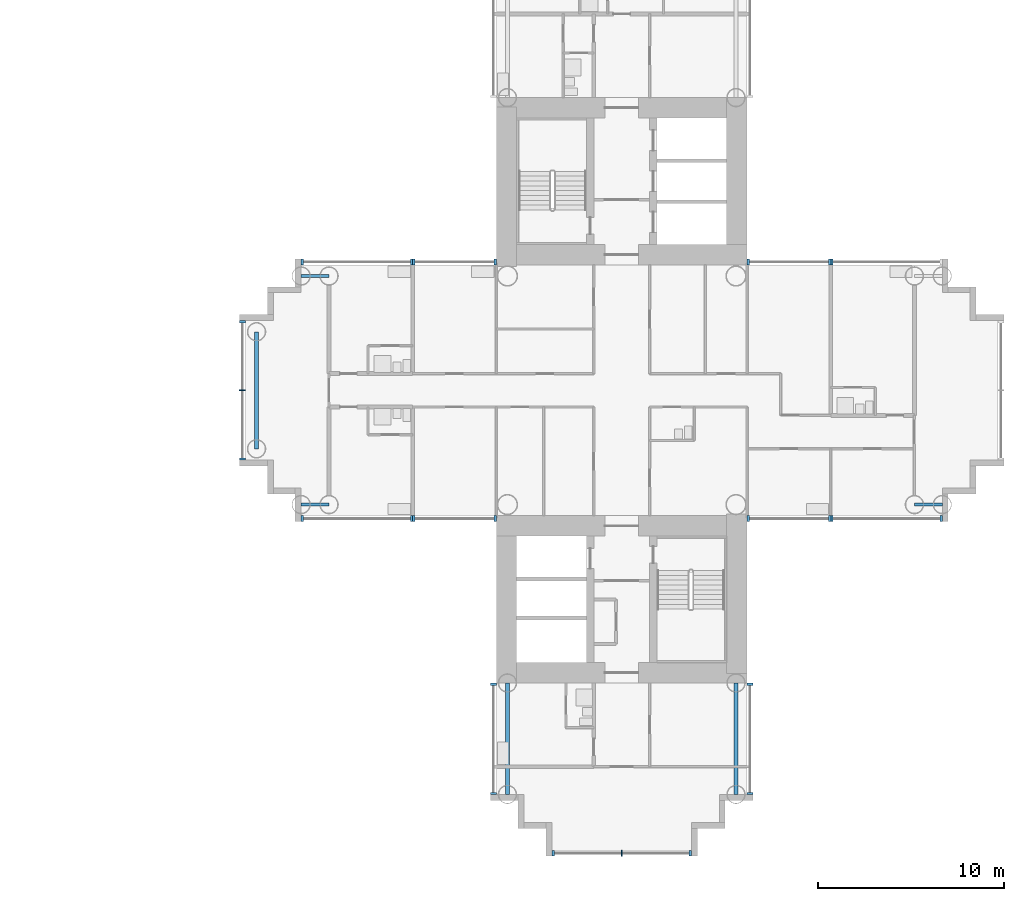
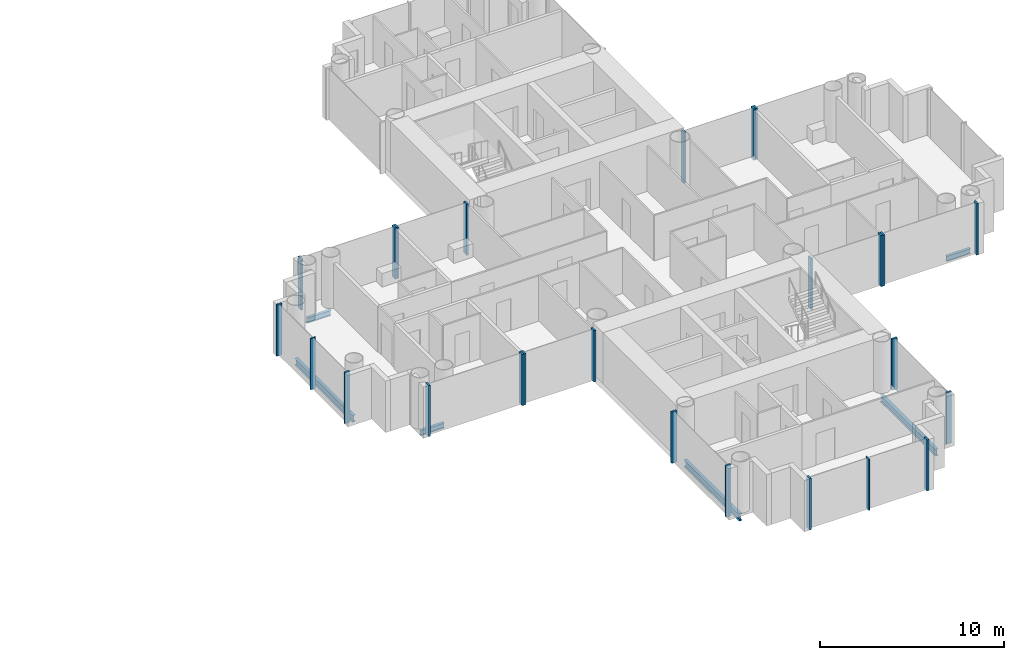
# One storey, part 5 of 21: 25 members, 6 beams, 12 elements without a shape of their own.
"""IFC4 building model written with IfcOpenShell, lengths in metres."""

from ifc_helpers import new_model, si_unit, direction, frame, origin, origin_2d, place, context, subcontext, project, spatial, rectangle, i_section, extrude, material, layer, layer_set, material_profile, profile_set, type_object, element, aggregate, save


model = new_model("IFC4")

# Units and contexts
model_context = context("Model", 3, precision=1e-05, world=origin(), true_north=direction((0.0, 1.0)))
body_context = subcontext(model_context, "Body", "Model", "MODEL_VIEW")
ifc_project = project(units=[si_unit("LENGTHUNIT", "METRE"), si_unit("AREAUNIT", "SQUARE_METRE"), si_unit("VOLUMEUNIT", "CUBIC_METRE"), si_unit("PLANEANGLEUNIT", "RADIAN"), si_unit("MASSUNIT", "GRAM", prefix="KILO")], contexts=[model_context])

# Site, building, storey
site_placement = place(None, origin())
site = spatial("IfcSite", under=ifc_project, at=site_placement, CompositionType="ELEMENT")
building_placement = place(site_placement, origin())
building = spatial("IfcBuilding", under=site, at=building_placement, Name="Ipe Terrace Towers", CompositionType="ELEMENT")
storey_placement = place(building_placement, frame((0.0, 0.0, 41.5)))
storey = spatial("IfcBuildingStorey", under=building, at=storey_placement, Name="L10", CompositionType="ELEMENT", Elevation=41.5)

# Beams
ifc_material_1 = material(Name="Steel S355", Category="steel")
ifc_material_profile_1 = material_profile(ifc_material_1, i_section(OverallWidth=0.175048828125, OverallDepth=0.35009765625, WebThickness=0.007080078125, FlangeThickness=0.010986328125, at=origin_2d()), Name="H-350x175x7x11")
ifc_profile_set_1 = profile_set([ifc_material_profile_1], Name="Steel S355")
beam_type_1 = type_object("IfcBeamType", Name="H04 EDGE BEAM H-350x175x7x11", PredefinedType="BEAM", material=ifc_profile_set_1)
for number, where, z_axis, x_axis, name in (
    (1, (20.25, 6.14990234375, -0.574951171875), (-1.0, 0.0, 0.0), (0.0, -1.0, 0.0), "Edge beam T2-EB-B03-B05"),
    (2, (20.25, -6.14990234375, -0.574951171875), (-1.0, 0.0, 0.0), (0.0, -1.0, 0.0), "Edge beam T2-EB-B04-B06"),
    (3, (51.75, -6.14990234375, -0.574951171875), (1.0, 0.0, 0.0), (0.0, 1.0, 0.0), "Edge beam T2-EB-D03-D05"),
):
    element("IfcBeam", number, at=place(storey_placement, frame(where, z_axis=z_axis, x_axis=x_axis)), inside=storey, type_object=beam_type_1, Name=name, PredefinedType="BEAM", context=body_context, shape_type="SweptSolid", body=[
        extrude(i_section(OverallWidth=0.175048828125, OverallDepth=0.35009765625, WebThickness=0.007080078125, FlangeThickness=0.010986328125, at=origin_2d()), origin(), (0.0, 0.0, 1.0), 1.5),
    ])
ifc_material_2 = material(Name="Steel S355", Category="steel")
ifc_material_profile_2 = material_profile(ifc_material_2, i_section(OverallWidth=0.199951171875, OverallDepth=0.449951171875, WebThickness=0.009033203125, FlangeThickness=0.013916015625, at=origin_2d()), Name="H-450x200x9x14")
ifc_profile_set_2 = profile_set([ifc_material_profile_2], Name="Steel S355")
beam_type_2 = type_object("IfcBeamType", Name="H08 EDGE BEAM H-450x200x9x14", PredefinedType="BEAM", material=ifc_profile_set_2)
beam_placement = place(storey_placement, frame((16.35009765625, 3.14990234375, -0.625), z_axis=(0.0, -1.0, 0.0), x_axis=(1.0, 0.0, 0.0)))
element("IfcBeam", 4, at=beam_placement, inside=storey, type_object=beam_type_2, Name="Edge beam T2-EB-B07-B08", PredefinedType="BEAM", context=body_context, shape_type="SweptSolid", body=[
    extrude(i_section(OverallWidth=0.199951171875, OverallDepth=0.449951171875, WebThickness=0.009033203125, FlangeThickness=0.013916015625, at=origin_2d()), origin(), (0.0, 0.0, 1.0), 6.2998046875),
])
for number, where, z_axis, x_axis, name in (
    (5, (42.14990234375, -15.75, -0.625), (0.0, -1.0, 0.0), (1.0, 0.0, 0.0), "Edge beam T2-EB-C01-C03"),
    (6, (29.85009765625, -15.75, -0.625), (0.0, -1.0, 0.0), (1.0, 0.0, 0.0), "Edge beam T2-EB-C02-C04"),
):
    element("IfcBeam", number, at=place(storey_placement, frame(where, z_axis=z_axis, x_axis=x_axis)), inside=storey, type_object=beam_type_2, Name=name, PredefinedType="BEAM", context=body_context, shape_type="SweptSolid", body=[
        extrude(i_section(OverallWidth=0.199951171875, OverallDepth=0.449951171875, WebThickness=0.009033203125, FlangeThickness=0.013916015625, at=origin_2d()), origin(), (0.0, 0.0, 1.0), 6.0),
    ])

# Curtain wall, members
ifc_material_3 = material(Name="Aluminium alloy 6063-T6", Category="aluminium")
ifc_layer = layer(ifc_material_3, 0.320068359375)
ifc_layer_set = layer_set([ifc_layer], Name="TOWER UNITISED CURTAIN WALL")
curtain_wall_type = type_object("IfcCurtainWallType", Name="TOWER UNITISED CURTAIN WALL", PredefinedType="NOTDEFINED", material=ifc_layer_set)
curtain_wall_1_placement = place(storey_placement, origin())
curtain_wall_1 = element("IfcCurtainWall", 7, at=curtain_wall_1_placement, inside=storey, type_object=curtain_wall_type, Name="T2-CW-L10-04a curtain wall", PredefinedType="NOTDEFINED")
ifc_material_4 = material(Name="Aluminium alloy 6063-T6", Category="aluminium")
ifc_material_profile_3 = material_profile(ifc_material_4, rectangle(XDim=0.320068359375, YDim=0.1201171875, at=origin_2d()), Name="TOWER UNITISED CORNER MULLION 320 x 120")
ifc_profile_set_3 = profile_set([ifc_material_profile_3], Name="Aluminium alloy 6063-T6")
member_type_1 = type_object("IfcMemberType", Name="TOWER UNITISED CORNER MULLION 320 x 120", PredefinedType="MULLION", material=ifc_profile_set_3)
member_1_placement = place(storey_placement, frame((42.909912109375, -21.68994140625, -0.300048828125), z_axis=(0.0, 0.0, 1.0), x_axis=(1.0, 0.0, 0.0)))
member_1 = element("IfcMember", 8, at=member_1_placement, type_object=member_type_1, Name="T2-CW-L10-04a mullion 1", PredefinedType="MULLION", context=body_context, shape_type="SweptSolid", body=[
    extrude(rectangle(XDim=0.320068359375, YDim=0.1201171875, at=origin_2d()), origin(), (0.0, 0.0, 1.0), 3.400146484375),
])
member_2_placement = place(storey_placement, frame((42.909912109375, -15.81103515625, -0.300048828125), z_axis=(0.0, 0.0, 1.0), x_axis=(1.0, 0.0, 0.0)))
member_2 = element("IfcMember", 9, at=member_2_placement, type_object=member_type_1, Name="T2-CW-L10-04a mullion 2", PredefinedType="MULLION", context=body_context, shape_type="SweptSolid", body=[
    extrude(rectangle(XDim=0.320068359375, YDim=0.1201171875, at=origin_2d()), origin(), (0.0, 0.0, 1.0), 3.400146484375),
])
aggregate(curtain_wall_1, [member_1, member_2])

curtain_wall_2_placement = place(storey_placement, origin())
curtain_wall_2 = element("IfcCurtainWall", 10, at=curtain_wall_2_placement, inside=storey, type_object=curtain_wall_type, Name="T2-CW-L10-06a curtain wall", PredefinedType="NOTDEFINED")
member_3_placement = place(storey_placement, frame((42.81005859375, -6.909912109375, -0.300048828125), z_axis=(0.0, 0.0, 1.0), x_axis=(0.0, -1.0, 0.0)))
member_3 = element("IfcMember", 11, at=member_3_placement, type_object=member_type_1, Name="T2-CW-L10-06a mullion 1", PredefinedType="MULLION", context=body_context, shape_type="SweptSolid", body=[
    extrude(rectangle(XDim=0.320068359375, YDim=0.1201171875, at=origin_2d()), origin(), (0.0, 0.0, 1.0), 3.400146484375),
])
member_4_placement = place(storey_placement, frame((47.18994140625, -6.909912109375, -0.300048828125), z_axis=(0.0, 0.0, 1.0), x_axis=(0.0, -1.0, 0.0)))
member_4 = element("IfcMember", 12, at=member_4_placement, type_object=member_type_1, Name="T2-CW-L10-06a mullion 2", PredefinedType="MULLION", context=body_context, shape_type="SweptSolid", body=[
    extrude(rectangle(XDim=0.320068359375, YDim=0.1201171875, at=origin_2d()), origin(), (0.0, 0.0, 1.0), 3.400146484375),
])
aggregate(curtain_wall_2, [member_3, member_4])

curtain_wall_3_placement = place(storey_placement, origin())
curtain_wall_3 = element("IfcCurtainWall", 13, at=curtain_wall_3_placement, inside=storey, type_object=curtain_wall_type, Name="T2-CW-L10-07a curtain wall", PredefinedType="NOTDEFINED")
member_5_placement = place(storey_placement, frame((47.31005859375, -6.909912109375, -0.300048828125), z_axis=(0.0, 0.0, 1.0), x_axis=(0.0, -1.0, 0.0)))
member_5 = element("IfcMember", 14, at=member_5_placement, type_object=member_type_1, Name="T2-CW-L10-07a mullion 1", PredefinedType="MULLION", context=body_context, shape_type="SweptSolid", body=[
    extrude(rectangle(XDim=0.320068359375, YDim=0.1201171875, at=origin_2d()), origin(), (0.0, 0.0, 1.0), 3.400146484375),
])
member_6_placement = place(storey_placement, frame((53.18994140625, -6.909912109375, -0.300048828125), z_axis=(0.0, 0.0, 1.0), x_axis=(0.0, -1.0, 0.0)))
member_6 = element("IfcMember", 15, at=member_6_placement, type_object=member_type_1, Name="T2-CW-L10-07a mullion 2", PredefinedType="MULLION", context=body_context, shape_type="SweptSolid", body=[
    extrude(rectangle(XDim=0.320068359375, YDim=0.1201171875, at=origin_2d()), origin(), (0.0, 0.0, 1.0), 3.400146484375),
])
aggregate(curtain_wall_3, [member_5, member_6])

# Curtain wall, member
curtain_wall_4_placement = place(storey_placement, origin())
curtain_wall_4 = element("IfcCurtainWall", 16, at=curtain_wall_4_placement, inside=storey, type_object=curtain_wall_type, Name="T2-CW-L10-17a curtain wall", PredefinedType="NOTDEFINED")
member_7_placement = place(storey_placement, frame((47.31005859375, 6.909912109375, -0.300048828125), z_axis=(0.0, 0.0, 1.0), x_axis=(0.0, 1.0, 0.0)))
member_7 = element("IfcMember", 17, at=member_7_placement, type_object=member_type_1, Name="T2-CW-L10-17a mullion 2", PredefinedType="MULLION", context=body_context, shape_type="SweptSolid", body=[
    extrude(rectangle(XDim=0.320068359375, YDim=0.1201171875, at=origin_2d()), origin(), (0.0, 0.0, 1.0), 3.400146484375),
])
aggregate(curtain_wall_4, [member_7])

# Curtain wall, members
curtain_wall_5_placement = place(storey_placement, origin())
curtain_wall_5 = element("IfcCurtainWall", 18, at=curtain_wall_5_placement, inside=storey, type_object=curtain_wall_type, Name="T2-CW-L10-18a curtain wall", PredefinedType="NOTDEFINED")
member_8_placement = place(storey_placement, frame((47.18994140625, 6.909912109375, -0.300048828125), z_axis=(0.0, 0.0, 1.0), x_axis=(0.0, 1.0, 0.0)))
member_8 = element("IfcMember", 19, at=member_8_placement, type_object=member_type_1, Name="T2-CW-L10-18a mullion 1", PredefinedType="MULLION", context=body_context, shape_type="SweptSolid", body=[
    extrude(rectangle(XDim=0.320068359375, YDim=0.1201171875, at=origin_2d()), origin(), (0.0, 0.0, 1.0), 3.400146484375),
])
member_9_placement = place(storey_placement, frame((42.81005859375, 6.909912109375, -0.300048828125), z_axis=(0.0, 0.0, 1.0), x_axis=(0.0, 1.0, 0.0)))
member_9 = element("IfcMember", 20, at=member_9_placement, type_object=member_type_1, Name="T2-CW-L10-18a mullion 2", PredefinedType="MULLION", context=body_context, shape_type="SweptSolid", body=[
    extrude(rectangle(XDim=0.320068359375, YDim=0.1201171875, at=origin_2d()), origin(), (0.0, 0.0, 1.0), 3.400146484375),
])
aggregate(curtain_wall_5, [member_8, member_9])

curtain_wall_6_placement = place(storey_placement, origin())
curtain_wall_6 = element("IfcCurtainWall", 21, at=curtain_wall_6_placement, inside=storey, type_object=curtain_wall_type, Name="T2-CW-L10-32a curtain wall", PredefinedType="NOTDEFINED")
member_10_placement = place(storey_placement, frame((29.18994140625, 6.909912109375, -0.300048828125), z_axis=(0.0, 0.0, 1.0), x_axis=(0.0, 1.0, 0.0)))
member_10 = element("IfcMember", 22, at=member_10_placement, type_object=member_type_1, Name="T2-CW-L10-32a mullion 1", PredefinedType="MULLION", context=body_context, shape_type="SweptSolid", body=[
    extrude(rectangle(XDim=0.320068359375, YDim=0.1201171875, at=origin_2d()), origin(), (0.0, 0.0, 1.0), 3.400146484375),
])
member_11_placement = place(storey_placement, frame((24.81005859375, 6.909912109375, -0.300048828125), z_axis=(0.0, 0.0, 1.0), x_axis=(0.0, 1.0, 0.0)))
member_11 = element("IfcMember", 23, at=member_11_placement, type_object=member_type_1, Name="T2-CW-L10-32a mullion 2", PredefinedType="MULLION", context=body_context, shape_type="SweptSolid", body=[
    extrude(rectangle(XDim=0.320068359375, YDim=0.1201171875, at=origin_2d()), origin(), (0.0, 0.0, 1.0), 3.400146484375),
])
aggregate(curtain_wall_6, [member_10, member_11])

curtain_wall_7_placement = place(storey_placement, origin())
curtain_wall_7 = element("IfcCurtainWall", 24, at=curtain_wall_7_placement, inside=storey, type_object=curtain_wall_type, Name="T2-CW-L10-33a curtain wall", PredefinedType="NOTDEFINED")
member_12_placement = place(storey_placement, frame((24.68994140625, 6.909912109375, -0.300048828125), z_axis=(0.0, 0.0, 1.0), x_axis=(0.0, 1.0, 0.0)))
member_12 = element("IfcMember", 25, at=member_12_placement, type_object=member_type_1, Name="T2-CW-L10-33a mullion 1", PredefinedType="MULLION", context=body_context, shape_type="SweptSolid", body=[
    extrude(rectangle(XDim=0.320068359375, YDim=0.1201171875, at=origin_2d()), origin(), (0.0, 0.0, 1.0), 3.400146484375),
])
member_13_placement = place(storey_placement, frame((18.81005859375, 6.909912109375, -0.300048828125), z_axis=(0.0, 0.0, 1.0), x_axis=(0.0, 1.0, 0.0)))
member_13 = element("IfcMember", 26, at=member_13_placement, type_object=member_type_1, Name="T2-CW-L10-33a mullion 2", PredefinedType="MULLION", context=body_context, shape_type="SweptSolid", body=[
    extrude(rectangle(XDim=0.320068359375, YDim=0.1201171875, at=origin_2d()), origin(), (0.0, 0.0, 1.0), 3.400146484375),
])
aggregate(curtain_wall_7, [member_12, member_13])

curtain_wall_8_placement = place(storey_placement, origin())
curtain_wall_8 = element("IfcCurtainWall", 27, at=curtain_wall_8_placement, inside=storey, type_object=curtain_wall_type, Name="T2-CW-L10-38a curtain wall", PredefinedType="NOTDEFINED")
member_14_placement = place(storey_placement, frame((15.590087890625, 3.68994140625, -0.300048828125), z_axis=(0.0, 0.0, 1.0), x_axis=(-1.0, 0.0, 0.0)))
member_14 = element("IfcMember", 28, at=member_14_placement, type_object=member_type_1, Name="T2-CW-L10-38a mullion 1", PredefinedType="MULLION", context=body_context, shape_type="SweptSolid", body=[
    extrude(rectangle(XDim=0.320068359375, YDim=0.1201171875, at=origin_2d()), origin(), (0.0, 0.0, 1.0), 3.400146484375),
])
member_15_placement = place(storey_placement, frame((15.590087890625, -3.68994140625, -0.300048828125), z_axis=(0.0, 0.0, 1.0), x_axis=(-1.0, 0.0, 0.0)))
member_15 = element("IfcMember", 29, at=member_15_placement, type_object=member_type_1, Name="T2-CW-L10-38a mullion 3", PredefinedType="MULLION", context=body_context, shape_type="SweptSolid", body=[
    extrude(rectangle(XDim=0.320068359375, YDim=0.1201171875, at=origin_2d()), origin(), (0.0, 0.0, 1.0), 3.400146484375),
])

curtain_wall_9_placement = place(storey_placement, origin())
curtain_wall_9 = element("IfcCurtainWall", 30, at=curtain_wall_9_placement, inside=storey, type_object=curtain_wall_type, Name="T2-CW-L10-43a curtain wall", PredefinedType="NOTDEFINED")
member_16_placement = place(storey_placement, frame((18.81005859375, -6.909912109375, -0.300048828125), z_axis=(0.0, 0.0, 1.0), x_axis=(0.0, -1.0, 0.0)))
member_16 = element("IfcMember", 31, at=member_16_placement, type_object=member_type_1, Name="T2-CW-L10-43a mullion 1", PredefinedType="MULLION", context=body_context, shape_type="SweptSolid", body=[
    extrude(rectangle(XDim=0.320068359375, YDim=0.1201171875, at=origin_2d()), origin(), (0.0, 0.0, 1.0), 3.400146484375),
])
member_17_placement = place(storey_placement, frame((24.68994140625, -6.909912109375, -0.300048828125), z_axis=(0.0, 0.0, 1.0), x_axis=(0.0, -1.0, 0.0)))
member_17 = element("IfcMember", 32, at=member_17_placement, type_object=member_type_1, Name="T2-CW-L10-43a mullion 2", PredefinedType="MULLION", context=body_context, shape_type="SweptSolid", body=[
    extrude(rectangle(XDim=0.320068359375, YDim=0.1201171875, at=origin_2d()), origin(), (0.0, 0.0, 1.0), 3.400146484375),
])
aggregate(curtain_wall_9, [member_16, member_17])

curtain_wall_10_placement = place(storey_placement, origin())
curtain_wall_10 = element("IfcCurtainWall", 33, at=curtain_wall_10_placement, inside=storey, type_object=curtain_wall_type, Name="T2-CW-L10-44a curtain wall", PredefinedType="NOTDEFINED")
member_18_placement = place(storey_placement, frame((24.81005859375, -6.909912109375, -0.300048828125), z_axis=(0.0, 0.0, 1.0), x_axis=(0.0, -1.0, 0.0)))
member_18 = element("IfcMember", 34, at=member_18_placement, type_object=member_type_1, Name="T2-CW-L10-44a mullion 1", PredefinedType="MULLION", context=body_context, shape_type="SweptSolid", body=[
    extrude(rectangle(XDim=0.320068359375, YDim=0.1201171875, at=origin_2d()), origin(), (0.0, 0.0, 1.0), 3.400146484375),
])
member_19_placement = place(storey_placement, frame((29.18994140625, -6.909912109375, -0.300048828125), z_axis=(0.0, 0.0, 1.0), x_axis=(0.0, -1.0, 0.0)))
member_19 = element("IfcMember", 35, at=member_19_placement, type_object=member_type_1, Name="T2-CW-L10-44a mullion 2", PredefinedType="MULLION", context=body_context, shape_type="SweptSolid", body=[
    extrude(rectangle(XDim=0.320068359375, YDim=0.1201171875, at=origin_2d()), origin(), (0.0, 0.0, 1.0), 3.400146484375),
])
aggregate(curtain_wall_10, [member_18, member_19])

curtain_wall_11_placement = place(storey_placement, origin())
curtain_wall_11 = element("IfcCurtainWall", 36, at=curtain_wall_11_placement, inside=storey, type_object=curtain_wall_type, Name="T2-CW-L10-46b curtain wall", PredefinedType="NOTDEFINED")
member_20_placement = place(storey_placement, frame((29.090087890625, -15.81103515625, -0.300048828125), z_axis=(0.0, 0.0, 1.0), x_axis=(-1.0, 0.0, 0.0)))
member_20 = element("IfcMember", 37, at=member_20_placement, type_object=member_type_1, Name="T2-CW-L10-46b mullion 1", PredefinedType="MULLION", context=body_context, shape_type="SweptSolid", body=[
    extrude(rectangle(XDim=0.320068359375, YDim=0.1201171875, at=origin_2d()), origin(), (0.0, 0.0, 1.0), 3.400146484375),
])
member_21_placement = place(storey_placement, frame((29.090087890625, -21.68994140625, -0.300048828125), z_axis=(0.0, 0.0, 1.0), x_axis=(-1.0, 0.0, 0.0)))
member_21 = element("IfcMember", 38, at=member_21_placement, type_object=member_type_1, Name="T2-CW-L10-46b mullion 2", PredefinedType="MULLION", context=body_context, shape_type="SweptSolid", body=[
    extrude(rectangle(XDim=0.320068359375, YDim=0.1201171875, at=origin_2d()), origin(), (0.0, 0.0, 1.0), 3.400146484375),
])
aggregate(curtain_wall_11, [member_20, member_21])

curtain_wall_12_placement = place(storey_placement, origin())
curtain_wall_12 = element("IfcCurtainWall", 39, at=curtain_wall_12_placement, inside=storey, type_object=curtain_wall_type, Name="T2-CW-L10-51a curtain wall", PredefinedType="NOTDEFINED")
member_22_placement = place(storey_placement, frame((32.31005859375, -24.909912109375, -0.300048828125), z_axis=(0.0, 0.0, 1.0), x_axis=(0.0, -1.0, 0.0)))
member_22 = element("IfcMember", 40, at=member_22_placement, type_object=member_type_1, Name="T2-CW-L10-51a mullion 1", PredefinedType="MULLION", context=body_context, shape_type="SweptSolid", body=[
    extrude(rectangle(XDim=0.320068359375, YDim=0.1201171875, at=origin_2d()), origin(), (0.0, 0.0, 1.0), 3.400146484375),
])
member_23_placement = place(storey_placement, frame((39.68994140625, -24.909912109375, -0.300048828125), z_axis=(0.0, 0.0, 1.0), x_axis=(0.0, -1.0, 0.0)))
member_23 = element("IfcMember", 41, at=member_23_placement, type_object=member_type_1, Name="T2-CW-L10-51a mullion 3", PredefinedType="MULLION", context=body_context, shape_type="SweptSolid", body=[
    extrude(rectangle(XDim=0.320068359375, YDim=0.1201171875, at=origin_2d()), origin(), (0.0, 0.0, 1.0), 3.400146484375),
])

# Member
ifc_material_5 = material(Name="Aluminium alloy 6063-T6", Category="aluminium")
ifc_material_profile_4 = material_profile(ifc_material_5, rectangle(XDim=0.320068359375, YDim=0.06494140625, at=origin_2d()), Name="TOWER UNITISED MULLION 320 x 65")
ifc_profile_set_4 = profile_set([ifc_material_profile_4], Name="Aluminium alloy 6063-T6")
member_type_2 = type_object("IfcMemberType", Name="TOWER UNITISED MULLION 320 x 65", PredefinedType="MULLION", material=ifc_profile_set_4)
member_24_placement = place(storey_placement, frame((15.590087890625, 0.0, -0.300048828125), z_axis=(0.0, 0.0, 1.0), x_axis=(-1.0, 0.0, 0.0)))
member_24 = element("IfcMember", 42, at=member_24_placement, type_object=member_type_2, Name="T2-CW-L10-38a mullion 2", PredefinedType="MULLION", context=body_context, shape_type="SweptSolid", body=[
    extrude(rectangle(XDim=0.320068359375, YDim=0.06494140625, at=origin_2d()), origin(), (0.0, 0.0, 1.0), 3.400146484375),
])

aggregate(curtain_wall_8, [member_14, member_24, member_15])

member_25_placement = place(storey_placement, frame((36.0, -24.909912109375, -0.300048828125), z_axis=(0.0, 0.0, 1.0), x_axis=(0.0, -1.0, 0.0)))
member_25 = element("IfcMember", 43, at=member_25_placement, type_object=member_type_2, Name="T2-CW-L10-51a mullion 2", PredefinedType="MULLION", context=body_context, shape_type="SweptSolid", body=[
    extrude(rectangle(XDim=0.320068359375, YDim=0.06494140625, at=origin_2d()), origin(), (0.0, 0.0, 1.0), 3.400146484375),
])

aggregate(curtain_wall_12, [member_22, member_25, member_23])

save(model, "model.ifc")
